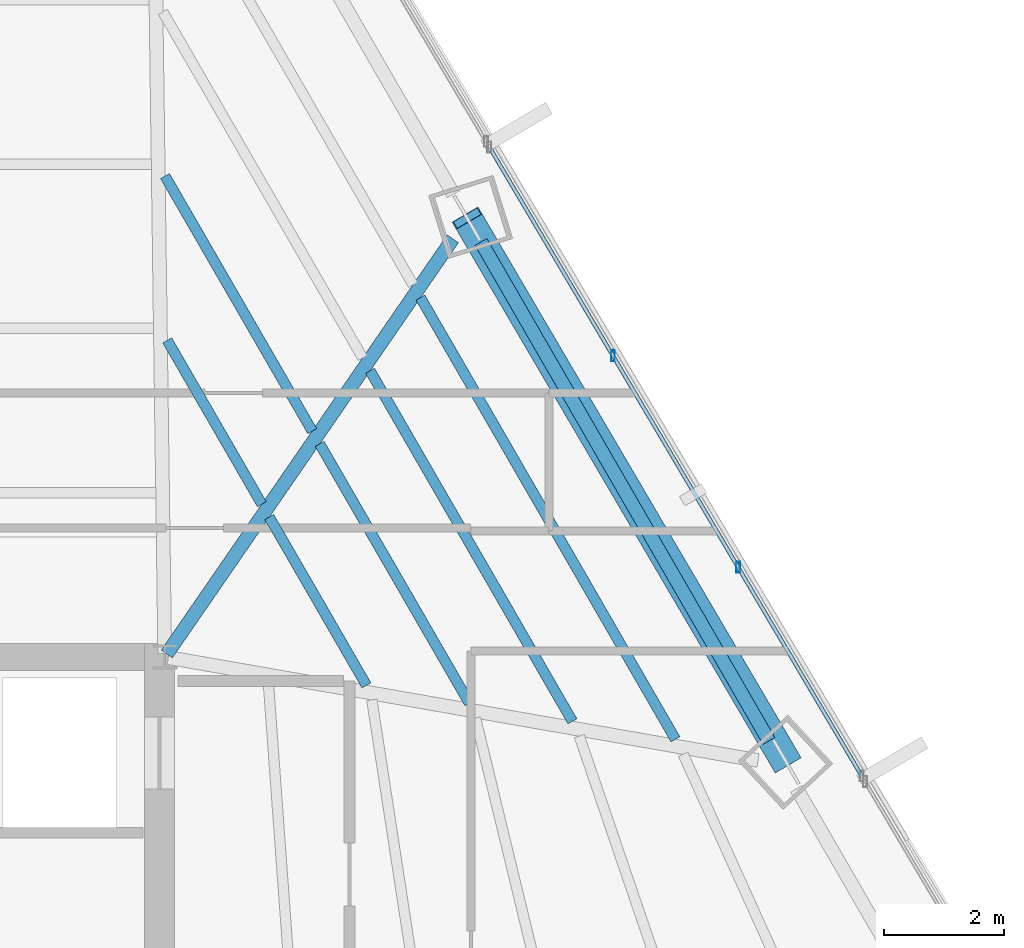
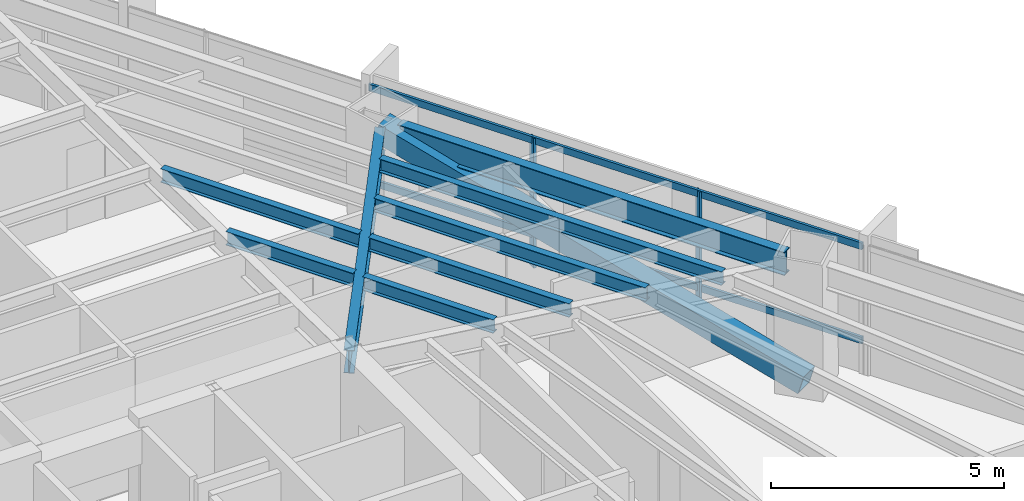
# One storey, part 21 of 35: 8 beams, 5 members, 1 element without a shape of its own.
"""IFC4 building model written with IfcOpenShell, lengths in metres."""

from ifc_helpers import new_model, si_unit, direction, frame, origin, origin_2d, place, context, subcontext, project, spatial, hollow_rectangle, i_section, extrude, source, transform, mapped, material, material_profile, profile_set, type_object, type_shapes, element, aggregate, save


model = new_model("IFC4")

# Units and contexts
model_context = context("Model", 3, precision=1e-05, world=origin(), true_north=direction((0.0, 1.0)))
body_context = subcontext(model_context, "Body", "Model", "MODEL_VIEW")
ifc_project = project(units=[si_unit("LENGTHUNIT", "METRE"), si_unit("AREAUNIT", "SQUARE_METRE"), si_unit("VOLUMEUNIT", "CUBIC_METRE"), si_unit("PLANEANGLEUNIT", "RADIAN"), si_unit("MASSUNIT", "GRAM", prefix="KILO")], contexts=[model_context])

# Site, building, storey
site_placement = place(None, origin())
site = spatial("IfcSite", under=ifc_project, at=site_placement, CompositionType="ELEMENT")
building_placement = place(site_placement, origin())
building = spatial("IfcBuilding", under=site, at=building_placement, Name="Caelisora Broadcast Tower", CompositionType="ELEMENT")
storey_placement = place(building_placement, frame((0.0, 0.0, 109.050048828125)))
storey = spatial("IfcBuildingStorey", under=building, at=storey_placement, Name="L28", CompositionType="ELEMENT", Elevation=109.050048828125)

# Beams
ifc_material_1 = material(Name="Steel Grade 350 (AS/NZS 3679.1)", Category="steel")
ifc_material_profile_1 = material_profile(ifc_material_1, i_section(OverallWidth=0.22900390625, OverallDepth=0.611572265625, WebThickness=0.011962890625, FlangeThickness=0.01953125, at=origin_2d()), Name="Steel Grade 350 (AS/NZS 3679.1)")
ifc_profile_set_1 = profile_set([ifc_material_profile_1], Name="Steel Grade 350 (AS/NZS 3679.1)")
beam_type_1 = type_object("IfcBeamType", Name="PG03", PredefinedType="BEAM", material=ifc_profile_set_1)
shared_shape_1 = source(origin(), body_context, "Body", "SweptSolid", [
    extrude(i_section(OverallWidth=0.22900390625, OverallDepth=0.611572265625, WebThickness=0.011962890625, FlangeThickness=0.01953125, at=origin_2d()), origin(), (0.0, 0.0, 1.0), 9.59912109375),
])
type_shapes(beam_type_1, [shared_shape_1])
beam_1_placement = place(storey_placement, frame((55.567626953125, 28.6005859375, 3.09423828125), z_axis=(-0.499974171624, 0.866040315291, 0.0), x_axis=(-0.866040315291, -0.499974171624, 0.0)))
element("IfcBeam", 1, at=beam_1_placement, inside=storey, type_object=beam_type_1, Name="L28 beam PG03", PredefinedType="BEAM", context=body_context, shape_type="MappedRepresentation", body=[
    mapped(shared_shape_1, transform((0.0, 0.0, 0.0), scale=1.0)),
])
ifc_material_profile_2 = material_profile(ifc_material_1, i_section(OverallWidth=0.22802734375, OverallDepth=0.602294921875, WebThickness=0.010498046875, FlangeThickness=0.014892578125, at=origin_2d()), Name="Steel Grade 350 (AS/NZS 3679.1)")
ifc_profile_set_2 = profile_set([ifc_material_profile_2], Name="Steel Grade 350 (AS/NZS 3679.1)")
beam_type_2 = type_object("IfcBeamType", Name="PG04", PredefinedType="BEAM", material=ifc_profile_set_2)
shared_shape_2 = source(origin(), body_context, "Body", "SweptSolid", [
    extrude(i_section(OverallWidth=0.22802734375, OverallDepth=0.602294921875, WebThickness=0.010498046875, FlangeThickness=0.014892578125, at=origin_2d()), origin(), (0.0, 0.0, 1.0), 8.39990234375),
])
type_shapes(beam_type_2, [shared_shape_2])
beam_2_placement = place(storey_placement, frame((45.533935546875, 30.04931640625, 3.098876953125), z_axis=(0.56737225063, 0.823461431528, 0.0), x_axis=(-0.823461431528, 0.56737225063, 0.0)))
element("IfcBeam", 2, at=beam_2_placement, inside=storey, type_object=beam_type_2, Name="L28 beam PG04", PredefinedType="BEAM", context=body_context, shape_type="MappedRepresentation", body=[
    mapped(shared_shape_2, transform((0.0, 0.0, 0.0), scale=1.0)),
])
ifc_material_profile_3 = material_profile(ifc_material_1, i_section(OverallWidth=0.172119140625, OverallDepth=0.358642578125, WebThickness=0.008056640625, FlangeThickness=0.012939453125, at=origin_2d()), Name="Steel Grade 350 (AS/NZS 3679.1)")
ifc_profile_set_3 = profile_set([ifc_material_profile_3], Name="Steel Grade 350 (AS/NZS 3679.1)")
beam_type_3 = type_object("IfcBeamType", Name="SB02", PredefinedType="JOIST", material=ifc_profile_set_3)
shared_shape_3 = source(origin(), body_context, "Body", "SweptSolid", [
    extrude(i_section(OverallWidth=0.172119140625, OverallDepth=0.358642578125, WebThickness=0.008056640625, FlangeThickness=0.012939453125, at=origin_2d()), origin(), (0.0, 0.0, 1.0), 3.152587890625),
])
beam_3_placement = place(storey_placement, frame((47.117919921875, 32.544189453125, 3.220703125), z_axis=(-0.500028571497, 0.866008907395, 0.0), x_axis=(-0.866008907395, -0.500028571497, 0.0)))
element("IfcBeam", 3, at=beam_3_placement, inside=storey, type_object=beam_type_3, Name="L28 beam SB02", PredefinedType="JOIST", context=body_context, shape_type="MappedRepresentation", body=[
    mapped(shared_shape_3, transform((0.0, 0.0, 0.0), scale=1.0)),
])
shared_shape_4 = source(origin(), body_context, "Body", "SweptSolid", [
    extrude(i_section(OverallWidth=0.172119140625, OverallDepth=0.358642578125, WebThickness=0.008056640625, FlangeThickness=0.012939453125, at=origin_2d()), origin(), (0.0, 0.0, 1.0), 4.90576171875),
])
beam_4_placement = place(storey_placement, frame((47.95751953125, 33.7626953125, 3.220703125), z_axis=(-0.499998156753, 0.866026467981, 0.0), x_axis=(-0.866026467981, -0.499998156753, 0.0)))
element("IfcBeam", 4, at=beam_4_placement, inside=storey, type_object=beam_type_3, Name="L28 beam SB02", PredefinedType="JOIST", context=body_context, shape_type="MappedRepresentation", body=[
    mapped(shared_shape_4, transform((0.0, 0.0, 0.0), scale=1.0)),
])
shared_shape_5 = source(origin(), body_context, "Body", "SweptSolid", [
    extrude(i_section(OverallWidth=0.172119140625, OverallDepth=0.358642578125, WebThickness=0.008056640625, FlangeThickness=0.012939453125, at=origin_2d()), origin(), (0.0, 0.0, 1.0), 3.23779296875),
])
beam_5_placement = place(storey_placement, frame((48.85986328125, 29.52685546875, 3.220703125), z_axis=(-0.500007473986, 0.866021088634, 0.0), x_axis=(-0.866021088634, -0.500007473986, 0.0)))
element("IfcBeam", 5, at=beam_5_placement, inside=storey, type_object=beam_type_3, Name="L28 beam SB02", PredefinedType="JOIST", context=body_context, shape_type="MappedRepresentation", body=[
    mapped(shared_shape_5, transform((0.0, 0.0, 0.0), scale=1.0)),
])
shared_shape_6 = source(origin(), body_context, "Body", "SweptSolid", [
    extrude(i_section(OverallWidth=0.172119140625, OverallDepth=0.358642578125, WebThickness=0.008056640625, FlangeThickness=0.012939453125, at=origin_2d()), origin(), (0.0, 0.0, 1.0), 4.99072265625),
])
beam_6_placement = place(storey_placement, frame((50.576171875, 29.227294921875, 3.220703125), z_axis=(-0.500006170614, 0.866021841149, 0.0), x_axis=(-0.866021841149, -0.500006170614, 0.0)))
element("IfcBeam", 6, at=beam_6_placement, inside=storey, type_object=beam_type_3, Name="L28 beam SB02", PredefinedType="JOIST", context=body_context, shape_type="MappedRepresentation", body=[
    mapped(shared_shape_6, transform((0.0, 0.0, 0.0), scale=1.0)),
])
shared_shape_7 = source(origin(), body_context, "Body", "SweptSolid", [
    extrude(i_section(OverallWidth=0.172119140625, OverallDepth=0.358642578125, WebThickness=0.008056640625, FlangeThickness=0.012939453125, at=origin_2d()), origin(), (0.0, 0.0, 1.0), 6.743896484375),
])
beam_7_placement = place(storey_placement, frame((52.292236328125, 28.927490234375, 3.220703125), z_axis=(-0.499974193154, 0.866040302861, 0.0), x_axis=(-0.866040302861, -0.499974193154, 0.0)))
element("IfcBeam", 7, at=beam_7_placement, inside=storey, type_object=beam_type_3, Name="L28 beam SB02", PredefinedType="JOIST", context=body_context, shape_type="MappedRepresentation", body=[
    mapped(shared_shape_7, transform((0.0, 0.0, 0.0), scale=1.0)),
])
shared_shape_8 = source(origin(), body_context, "Body", "SweptSolid", [
    extrude(i_section(OverallWidth=0.172119140625, OverallDepth=0.358642578125, WebThickness=0.008056640625, FlangeThickness=0.012939453125, at=origin_2d()), origin(), (0.0, 0.0, 1.0), 8.497314453125),
])
type_shapes(beam_type_3, [shared_shape_3, shared_shape_4, shared_shape_5, shared_shape_6, shared_shape_7, shared_shape_8])
beam_8_placement = place(storey_placement, frame((54.008544921875, 28.6279296875, 3.220703125), z_axis=(-0.499989401968, 0.866031522475, 0.0), x_axis=(-0.866031522475, -0.499989401968, 0.0)))
element("IfcBeam", 8, at=beam_8_placement, inside=storey, type_object=beam_type_3, Name="L28 beam SB02", PredefinedType="JOIST", context=body_context, shape_type="MappedRepresentation", body=[
    mapped(shared_shape_8, transform((0.0, 0.0, 0.0), scale=1.0)),
])

# Member
ifc_material_2 = material(Name="Steel Grade 450 L15 (AS/NZS 3678)", Category="steel")
ifc_material_profile_4 = material_profile(ifc_material_2, hollow_rectangle(XDim=0.5, YDim=0.5, WallThickness=0.02001953125, at=origin_2d()), Name="Steel Grade 450 L15 (AS/NZS 3678)")
ifc_profile_set_4 = profile_set([ifc_material_profile_4], Name="Steel Grade 450 L15 (AS/NZS 3678)")
member_type_1 = type_object("IfcMemberType", Name="BR02", PredefinedType="BRACE", material=ifc_profile_set_4)
shared_shape_9 = source(origin(), body_context, "Body", "SweptSolid", [
    extrude(hollow_rectangle(XDim=0.5, YDim=0.5, WallThickness=0.02001953125, at=origin_2d()), origin(), (0.0, 0.0, 1.0), 10.9228515625),
])
type_shapes(member_type_1, [shared_shape_9])
member_1_placement = place(storey_placement, frame((55.85205078125, 28.252685546875, 0.099853515625), z_axis=(-0.486497886927, 0.829388821565, 0.274652487115), x_axis=(-0.862559803802, -0.505955121394, 0.0)))
element("IfcMember", 9, at=member_1_placement, inside=storey, type_object=member_type_1, Name="L28 perimeter brace BR02", PredefinedType="BRACE", context=body_context, shape_type="MappedRepresentation", body=[
    mapped(shared_shape_9, transform((0.0, 0.0, 0.0), scale=1.0)),
])

# Curtain wall, members
ifc_material_3 = material(Name="Unitised Aluminium Insulated Shadow-Box Spandrel Curtain Wall", Category="aluminium")
curtain_wall_type = type_object("IfcCurtainWallType", Name="CW-SP1", PredefinedType="NOTDEFINED", material=ifc_material_3)
curtain_wall_placement = place(storey_placement, origin())
curtain_wall = element("IfcCurtainWall", 10, at=curtain_wall_placement, inside=storey, type_object=curtain_wall_type, Name="L28 curtain wall CW-SP1", PredefinedType="NOTDEFINED")
ifc_material_4 = material(Name="Aluminium 6063-T6 Anodised Terracotta Bronze", Category="aluminium")
ifc_material_profile_5 = material_profile(ifc_material_4, hollow_rectangle(XDim=0.06494140625, YDim=0.179931640625, WallThickness=0.00341796875, at=origin_2d()), Name="Aluminium 6063-T6 Anodised Terracotta Bronze")
ifc_profile_set_5 = profile_set([ifc_material_profile_5], Name="Aluminium 6063-T6 Anodised Terracotta Bronze")
member_type_2 = type_object("IfcMemberType", Name="CWM-02", PredefinedType="MULLION", material=ifc_profile_set_5)
shared_shape_10 = source(origin(), body_context, "Body", "SweptSolid", [
    extrude(hollow_rectangle(XDim=0.06494140625, YDim=0.179931640625, WallThickness=0.00341796875, at=origin_2d()), origin(), (0.0, 0.0, 1.0), 3.39990234375),
])
type_shapes(member_type_2, [shared_shape_10])
member_2_placement = place(storey_placement, frame((52.968994140625, 35.01611328125, 0.0), z_axis=(0.0, 0.0, 1.0), x_axis=(1.0, 0.0, 0.0)))
member_2 = element("IfcMember", 11, at=member_2_placement, type_object=member_type_2, Name="L28-CW-B02 mullion #1", PredefinedType="MULLION", context=body_context, shape_type="MappedRepresentation", body=[
    mapped(shared_shape_10, transform((0.0, 0.0, 0.0), scale=1.0)),
])
member_3_placement = place(storey_placement, frame((55.0537109375, 31.4951171875, 0.0), z_axis=(0.0, 0.0, 1.0), x_axis=(1.0, 0.0, 0.0)))
member_3 = element("IfcMember", 12, at=member_3_placement, type_object=member_type_2, Name="L28-CW-B02 mullion #2", PredefinedType="MULLION", context=body_context, shape_type="MappedRepresentation", body=[
    mapped(shared_shape_10, transform((0.0, 0.0, 0.0), scale=1.0)),
])
ifc_material_profile_6 = material_profile(ifc_material_4, hollow_rectangle(XDim=0.06494140625, YDim=0.179931640625, WallThickness=0.00341796875, at=origin_2d()), Name="Aluminium 6063-T6 Anodised Terracotta Bronze")
ifc_profile_set_6 = profile_set([ifc_material_profile_6], Name="Aluminium 6063-T6 Anodised Terracotta Bronze")
member_type_3 = type_object("IfcMemberType", Name="CWT-01", PredefinedType="USERDEFINED", material=ifc_profile_set_6)
shared_shape_11 = source(origin(), body_context, "Body", "SweptSolid", [
    extrude(hollow_rectangle(XDim=0.06494140625, YDim=0.179931640625, WallThickness=0.00341796875, at=origin_2d()), origin(), (0.0, 0.0, 1.0), 12.175537109375),
])
type_shapes(member_type_3, [shared_shape_11])
member_4_placement = place(storey_placement, frame((50.90966796875, 38.493896484375, 0.849853515625), z_axis=(0.509476964502, -0.860484295407, 0.0), x_axis=(0.860484295407, 0.509476964502, 0.0)))
member_4 = element("IfcMember", 13, at=member_4_placement, type_object=member_type_3, Name="L28-CW-B02 transom #1", ObjectType="TRANSOM", PredefinedType="USERDEFINED", context=body_context, shape_type="MappedRepresentation", body=[
    mapped(shared_shape_11, transform((0.0, 0.0, 0.0), scale=1.0)),
])
member_5_placement = place(storey_placement, frame((50.90966796875, 38.493896484375, 3.320068359375), z_axis=(0.509476964502, -0.860484295407, 0.0), x_axis=(0.860484295407, 0.509476964502, 0.0)))
member_5 = element("IfcMember", 14, at=member_5_placement, type_object=member_type_3, Name="L28-CW-B02 transom #2", ObjectType="TRANSOM", PredefinedType="USERDEFINED", context=body_context, shape_type="MappedRepresentation", body=[
    mapped(shared_shape_11, transform((0.0, 0.0, 0.0), scale=1.0)),
])
aggregate(curtain_wall, [member_2, member_3, member_4, member_5])

save(model, "model.ifc")
